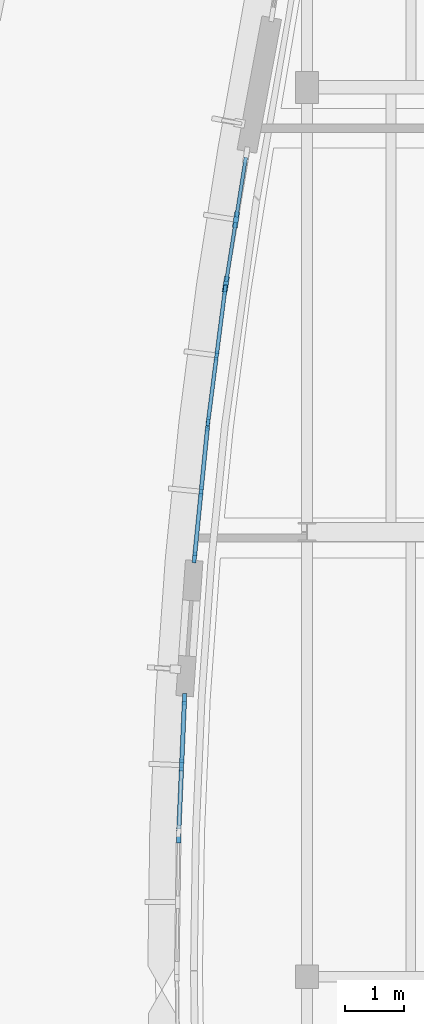
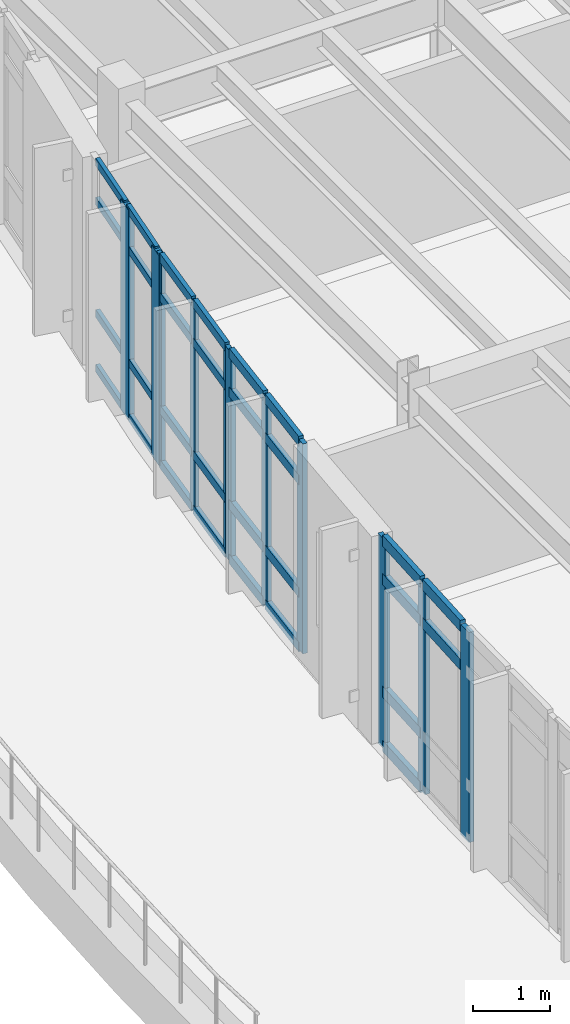
# One storey, part 7 of 30: 41 members, 5 elements without a shape of their own.
"""IFC4 building model written with IfcOpenShell, lengths in metres."""

from ifc_helpers import new_model, si_unit, direction, frame, origin, origin_2d, place, context, subcontext, project, spatial, rectangle, extrude, material, material_profile, profile_set, type_object, element, aggregate, save


model = new_model("IFC4")

# Units and contexts
model_context = context("Model", 3, precision=1e-05, world=origin(), true_north=direction((0.0, 1.0)))
body_context = subcontext(model_context, "Body", "Model", "MODEL_VIEW")
ifc_project = project(units=[si_unit("LENGTHUNIT", "METRE"), si_unit("AREAUNIT", "SQUARE_METRE"), si_unit("VOLUMEUNIT", "CUBIC_METRE"), si_unit("PLANEANGLEUNIT", "RADIAN"), si_unit("MASSUNIT", "GRAM", prefix="KILO")], contexts=[model_context])

# Site, building, storey
site_placement = place(None, origin())
site = spatial("IfcSite", under=ifc_project, at=site_placement, CompositionType="ELEMENT")
building_placement = place(site_placement, origin())
building = spatial("IfcBuilding", under=site, at=building_placement, Name="Corveleigh Park Community Centre", CompositionType="ELEMENT")
storey_placement = place(building_placement, frame((0.0, 0.0, 12.60009765625)))
storey = spatial("IfcBuildingStorey", under=building, at=storey_placement, Name="L03", CompositionType="ELEMENT", Elevation=12.60009765625)

# Curtain wall, members
ifc_material = material(Name="Anodised aluminium 6063-T6", Category="aluminium")
curtain_wall_type = type_object("IfcCurtainWallType", Name="CW-SYS-V4-L03", PredefinedType="NOTDEFINED", material=ifc_material)
curtain_wall_1_placement = place(storey_placement, origin())
curtain_wall_1 = element("IfcCurtainWall", 1, at=curtain_wall_1_placement, inside=storey, type_object=curtain_wall_type, Name="V4 L03 Curtain Wall 427", PredefinedType="NOTDEFINED")
ifc_material_profile_1 = material_profile(ifc_material, rectangle(XDim=0.06005859375, YDim=0.159912109375, at=origin_2d()), Name="ALU-M60x160", Category="aluminium")
ifc_profile_set_1 = profile_set([ifc_material_profile_1], Name="Anodised aluminium 6063-T6")
member_type_1 = type_object("IfcMemberType", Name="CWM-60x160", PredefinedType="MULLION", material=ifc_profile_set_1)
member_1_placement = place(storey_placement, frame((142.51171875, 90.894775390625, 0.0), z_axis=(0.0, 0.0, 1.0), x_axis=(-0.991869145489, 0.127261927639, 0.0)))
member_1 = element("IfcMember", 2, at=member_1_placement, type_object=member_type_1, Name="CW09 mullion 1", PredefinedType="MULLION", context=body_context, shape_type="SweptSolid", body=[
    extrude(rectangle(XDim=0.06005859375, YDim=0.159912109375, at=origin_2d()), origin(), (0.0, 0.0, 1.0), 3.3369140625),
])
member_2_placement = place(storey_placement, frame((142.656005859375, 92.0185546875, 0.0), z_axis=(0.0, 0.0, 1.0), x_axis=(-0.991869145489, 0.127261927639, 0.0)))
member_2 = element("IfcMember", 3, at=member_2_placement, type_object=member_type_1, Name="CW09 mullion 2", PredefinedType="MULLION", context=body_context, shape_type="SweptSolid", body=[
    extrude(rectangle(XDim=0.06005859375, YDim=0.159912109375, at=origin_2d()), origin(), (0.0, 0.0, 1.0), 3.3369140625),
])
member_3_placement = place(storey_placement, frame((142.80029296875, 93.142333984375, 0.0), z_axis=(0.0, 0.0, 1.0), x_axis=(-0.991869145489, 0.127261927639, 0.0)))
member_3 = element("IfcMember", 4, at=member_3_placement, type_object=member_type_1, Name="CW09 mullion 3", PredefinedType="MULLION", context=body_context, shape_type="SweptSolid", body=[
    extrude(rectangle(XDim=0.06005859375, YDim=0.159912109375, at=origin_2d()), origin(), (0.0, 0.0, 1.0), 3.3369140625),
])

curtain_wall_2_placement = place(storey_placement, origin())
curtain_wall_2 = element("IfcCurtainWall", 5, at=curtain_wall_2_placement, inside=storey, type_object=curtain_wall_type, Name="V4 L03 Curtain Wall 428", PredefinedType="NOTDEFINED")
ifc_material_profile_2 = material_profile(ifc_material, rectangle(XDim=0.06494140625, YDim=0.179931640625, at=origin_2d()), Name="ALU-M65x180", Category="aluminium")
ifc_profile_set_2 = profile_set([ifc_material_profile_2], Name="Anodised aluminium 6063-T6")
member_type_2 = type_object("IfcMemberType", Name="CWM-65x180", PredefinedType="MULLION", material=ifc_profile_set_2)
member_4_placement = place(storey_placement, frame((142.2783203125, 88.564453125, 0.0), z_axis=(0.0, 0.0, 1.0), x_axis=(-0.995058446213, 0.09929092919, 0.0)))
member_4 = element("IfcMember", 6, at=member_4_placement, type_object=member_type_2, Name="CW09 mullion 1", PredefinedType="MULLION", context=body_context, shape_type="SweptSolid", body=[
    extrude(rectangle(XDim=0.06494140625, YDim=0.179931640625, at=origin_2d()), origin(), (0.0, 0.0, 1.0), 3.3369140625),
])
member_5_placement = place(storey_placement, frame((142.390380859375, 89.689453125, 0.0), z_axis=(0.0, 0.0, 1.0), x_axis=(-0.995058446213, 0.09929092919, 0.0)))
member_5 = element("IfcMember", 7, at=member_5_placement, type_object=member_type_2, Name="CW09 mullion 2", PredefinedType="MULLION", context=body_context, shape_type="SweptSolid", body=[
    extrude(rectangle(XDim=0.06494140625, YDim=0.179931640625, at=origin_2d()), origin(), (0.0, 0.0, 1.0), 3.3369140625),
])
member_6_placement = place(storey_placement, frame((142.502685546875, 90.814697265625, 0.0), z_axis=(0.0, 0.0, 1.0), x_axis=(-0.995058446213, 0.09929092919, 0.0)))
member_6 = element("IfcMember", 8, at=member_6_placement, type_object=member_type_2, Name="CW09 mullion 3", PredefinedType="MULLION", context=body_context, shape_type="SweptSolid", body=[
    extrude(rectangle(XDim=0.06494140625, YDim=0.179931640625, at=origin_2d()), origin(), (0.0, 0.0, 1.0), 3.3369140625),
])

curtain_wall_3_placement = place(storey_placement, origin())
curtain_wall_3 = element("IfcCurtainWall", 9, at=curtain_wall_3_placement, inside=storey, type_object=curtain_wall_type, Name="V4 L03 Curtain Wall 429", PredefinedType="NOTDEFINED")
ifc_material_profile_3 = material_profile(ifc_material, rectangle(XDim=0.070068359375, YDim=0.199951171875, at=origin_2d()), Name="ALU-M70x200", Category="aluminium")
ifc_profile_set_3 = profile_set([ifc_material_profile_3], Name="Anodised aluminium 6063-T6")
member_type_3 = type_object("IfcMemberType", Name="CWM-70x200", PredefinedType="MULLION", material=ifc_profile_set_3)
member_7_placement = place(storey_placement, frame((142.05810546875, 85.014404296875, 0.0), z_axis=(0.0, 0.0, 1.0), x_axis=(-0.999074729961, 0.043007952221, 0.0)))
member_7 = element("IfcMember", 10, at=member_7_placement, type_object=member_type_3, Name="CW09 mullion 2", PredefinedType="MULLION", context=body_context, shape_type="SweptSolid", body=[
    extrude(rectangle(XDim=0.070068359375, YDim=0.199951171875, at=origin_2d()), origin(), (0.0, 0.0, 1.0), 3.3369140625),
])
member_8_placement = place(storey_placement, frame((142.1064453125, 86.14111328125, 0.0), z_axis=(0.0, 0.0, 1.0), x_axis=(-0.999074729961, 0.043007952221, 0.0)))
member_8 = element("IfcMember", 11, at=member_8_placement, type_object=member_type_3, Name="CW09 mullion 3", PredefinedType="MULLION", context=body_context, shape_type="SweptSolid", body=[
    extrude(rectangle(XDim=0.070068359375, YDim=0.199951171875, at=origin_2d()), origin(), (0.0, 0.0, 1.0), 3.3369140625),
])

# Curtain wall, member
curtain_wall_4_placement = place(storey_placement, origin())
curtain_wall_4 = element("IfcCurtainWall", 12, at=curtain_wall_4_placement, inside=storey, type_object=curtain_wall_type, Name="V4 L03 Curtain Wall 430", PredefinedType="NOTDEFINED")
ifc_material_profile_4 = material_profile(ifc_material, rectangle(XDim=0.074951171875, YDim=0.219970703125, at=origin_2d()), Name="ALU-M75x220", Category="aluminium")
ifc_profile_set_4 = profile_set([ifc_material_profile_4], Name="Anodised aluminium 6063-T6")
member_type_4 = type_object("IfcMemberType", Name="CWM-75x220", PredefinedType="MULLION", material=ifc_profile_set_4)
member_9_placement = place(storey_placement, frame((142.007568359375, 83.797607421875, 0.0), z_axis=(0.0, 0.0, 1.0), x_axis=(-0.999899373375, 0.014186018617, 0.0)))
member_9 = element("IfcMember", 13, at=member_9_placement, type_object=member_type_4, Name="CW09 mullion 3", PredefinedType="MULLION", context=body_context, shape_type="SweptSolid", body=[
    extrude(rectangle(XDim=0.074951171875, YDim=0.219970703125, at=origin_2d()), origin(), (0.0, 0.0, 1.0), 3.3369140625),
])
aggregate(curtain_wall_4, [member_9])

# Curtain wall, members
curtain_wall_5_placement = place(storey_placement, origin())
curtain_wall_5 = element("IfcCurtainWall", 14, at=curtain_wall_5_placement, inside=storey, type_object=curtain_wall_type, Name="V4 L03 Curtain Wall 426", PredefinedType="NOTDEFINED")
ifc_material_profile_5 = material_profile(ifc_material, rectangle(XDim=0.0849609375, YDim=0.27490234375, at=origin_2d()), Name="ALU-M85x275", Category="aluminium")
ifc_profile_set_5 = profile_set([ifc_material_profile_5], Name="Anodised aluminium 6063-T6")
member_type_5 = type_object("IfcMemberType", Name="CWM-85x275", PredefinedType="MULLION", material=ifc_profile_set_5)
member_10_placement = place(storey_placement, frame((142.812744140625, 93.23193359375, 0.0), z_axis=(0.0, 0.0, 1.0), x_axis=(-0.987742036845, 0.156095062857, 0.0)))
member_10 = element("IfcMember", 15, at=member_10_placement, type_object=member_type_5, Name="CW09 mullion 1", PredefinedType="MULLION", context=body_context, shape_type="SweptSolid", body=[
    extrude(rectangle(XDim=0.0849609375, YDim=0.27490234375, at=origin_2d()), origin(), (0.0, 0.0, 1.0), 3.3369140625),
])
member_11_placement = place(storey_placement, frame((142.987548828125, 94.33837890625, 0.0), z_axis=(0.0, 0.0, 1.0), x_axis=(-0.987742036845, 0.156095062857, 0.0)))
member_11 = element("IfcMember", 16, at=member_11_placement, type_object=member_type_5, Name="CW09 mullion 2", PredefinedType="MULLION", context=body_context, shape_type="SweptSolid", body=[
    extrude(rectangle(XDim=0.0849609375, YDim=0.27490234375, at=origin_2d()), origin(), (0.0, 0.0, 1.0), 3.3369140625),
])
ifc_material_profile_6 = material_profile(ifc_material, rectangle(XDim=0.06005859375, YDim=0.1201171875, at=origin_2d()), Name="ALU-T60x120", Category="aluminium")
ifc_profile_set_6 = profile_set([ifc_material_profile_6], Name="Anodised aluminium 6063-T6")
member_type_6 = type_object("IfcMemberType", Name="CWT-60x120", PredefinedType="USERDEFINED", material=ifc_profile_set_6)
member_12_placement = place(storey_placement, frame((142.8193359375, 93.27392578125, 0.02978515625), z_axis=(0.156095763917, 0.987741926055, 0.0), x_axis=(-0.987741926055, 0.156095763917, 0.0)))
member_12 = element("IfcMember", 17, at=member_12_placement, type_object=member_type_6, Name="CW09 transom 1.1", ObjectType="TRANSOM", PredefinedType="USERDEFINED", context=body_context, shape_type="SweptSolid", body=[
    extrude(rectangle(XDim=0.06005859375, YDim=0.1201171875, at=origin_2d()), origin(), (0.0, 0.0, 1.0), 1.035400390625),
])
member_13_placement = place(storey_placement, frame((142.8193359375, 93.27392578125, 0.89990234375), z_axis=(0.156095763917, 0.987741926055, 0.0), x_axis=(-0.987741926055, 0.156095763917, 0.0)))
member_13 = element("IfcMember", 18, at=member_13_placement, type_object=member_type_6, Name="CW09 transom 1.2", ObjectType="TRANSOM", PredefinedType="USERDEFINED", context=body_context, shape_type="SweptSolid", body=[
    extrude(rectangle(XDim=0.06005859375, YDim=0.1201171875, at=origin_2d()), origin(), (0.0, 0.0, 1.0), 1.035400390625),
])
member_14_placement = place(storey_placement, frame((142.8193359375, 93.27392578125, 2.68701171875), z_axis=(0.156095763917, 0.987741926055, 0.0), x_axis=(-0.987741926055, 0.156095763917, 0.0)))
member_14 = element("IfcMember", 19, at=member_14_placement, type_object=member_type_6, Name="CW09 transom 1.3", ObjectType="TRANSOM", PredefinedType="USERDEFINED", context=body_context, shape_type="SweptSolid", body=[
    extrude(rectangle(XDim=0.06005859375, YDim=0.1201171875, at=origin_2d()), origin(), (0.0, 0.0, 1.0), 1.035400390625),
])
member_15_placement = place(storey_placement, frame((142.8193359375, 93.27392578125, 3.306884765625), z_axis=(0.156095763917, 0.987741926055, 0.0), x_axis=(-0.987741926055, 0.156095763917, 0.0)))
member_15 = element("IfcMember", 20, at=member_15_placement, type_object=member_type_6, Name="CW09 transom 1.4", ObjectType="TRANSOM", PredefinedType="USERDEFINED", context=body_context, shape_type="SweptSolid", body=[
    extrude(rectangle(XDim=0.06005859375, YDim=0.1201171875, at=origin_2d()), origin(), (0.0, 0.0, 1.0), 1.035400390625),
])
member_16_placement = place(storey_placement, frame((142.994140625, 94.38037109375, 0.02978515625), z_axis=(0.156095763917, 0.987741926055, 0.0), x_axis=(-0.987741926055, 0.156095763917, 0.0)))
member_16 = element("IfcMember", 21, at=member_16_placement, type_object=member_type_6, Name="CW09 transom 2.1", ObjectType="TRANSOM", PredefinedType="USERDEFINED", context=body_context, shape_type="SweptSolid", body=[
    extrude(rectangle(XDim=0.06005859375, YDim=0.1201171875, at=origin_2d()), origin(), (0.0, 0.0, 1.0), 1.035400390625),
])
member_17_placement = place(storey_placement, frame((142.994140625, 94.38037109375, 0.89990234375), z_axis=(0.156095763917, 0.987741926055, 0.0), x_axis=(-0.987741926055, 0.156095763917, 0.0)))
member_17 = element("IfcMember", 22, at=member_17_placement, type_object=member_type_6, Name="CW09 transom 2.2", ObjectType="TRANSOM", PredefinedType="USERDEFINED", context=body_context, shape_type="SweptSolid", body=[
    extrude(rectangle(XDim=0.06005859375, YDim=0.1201171875, at=origin_2d()), origin(), (0.0, 0.0, 1.0), 1.035400390625),
])
member_18_placement = place(storey_placement, frame((142.994140625, 94.38037109375, 2.68701171875), z_axis=(0.156095763917, 0.987741926055, 0.0), x_axis=(-0.987741926055, 0.156095763917, 0.0)))
member_18 = element("IfcMember", 23, at=member_18_placement, type_object=member_type_6, Name="CW09 transom 2.3", ObjectType="TRANSOM", PredefinedType="USERDEFINED", context=body_context, shape_type="SweptSolid", body=[
    extrude(rectangle(XDim=0.06005859375, YDim=0.1201171875, at=origin_2d()), origin(), (0.0, 0.0, 1.0), 1.035400390625),
])
member_19_placement = place(storey_placement, frame((142.994140625, 94.38037109375, 3.306884765625), z_axis=(0.156095763917, 0.987741926055, 0.0), x_axis=(-0.987741926055, 0.156095763917, 0.0)))
member_19 = element("IfcMember", 24, at=member_19_placement, type_object=member_type_6, Name="CW09 transom 2.4", ObjectType="TRANSOM", PredefinedType="USERDEFINED", context=body_context, shape_type="SweptSolid", body=[
    extrude(rectangle(XDim=0.06005859375, YDim=0.1201171875, at=origin_2d()), origin(), (0.0, 0.0, 1.0), 1.035400390625),
])
aggregate(curtain_wall_5, [member_10, member_11, member_12, member_13, member_14, member_15, member_16, member_17, member_18, member_19])

# Member
ifc_material_profile_7 = material_profile(ifc_material, rectangle(XDim=0.06494140625, YDim=0.139892578125, at=origin_2d()), Name="ALU-T65x140", Category="aluminium")
ifc_profile_set_7 = profile_set([ifc_material_profile_7], Name="Anodised aluminium 6063-T6")
member_type_7 = type_object("IfcMemberType", Name="CWT-65x140", PredefinedType="USERDEFINED", material=ifc_profile_set_7)
member_20_placement = place(storey_placement, frame((142.515625, 90.924560546875, 0.032470703125), z_axis=(0.127198757042, 0.991877248558, 0.0), x_axis=(-0.991877248558, 0.127198757042, 0.0)))
member_20 = element("IfcMember", 25, at=member_20_placement, type_object=member_type_7, Name="CW09 transom 1.1", ObjectType="TRANSOM", PredefinedType="USERDEFINED", context=body_context, shape_type="SweptSolid", body=[
    extrude(rectangle(XDim=0.06494140625, YDim=0.139892578125, at=origin_2d()), origin(), (0.0, 0.0, 1.0), 1.072998046875),
])

member_21_placement = place(storey_placement, frame((142.515625, 90.924560546875, 0.89990234375), z_axis=(0.127198757042, 0.991877248558, 0.0), x_axis=(-0.991877248558, 0.127198757042, 0.0)))
member_21 = element("IfcMember", 26, at=member_21_placement, type_object=member_type_7, Name="CW09 transom 1.2", ObjectType="TRANSOM", PredefinedType="USERDEFINED", context=body_context, shape_type="SweptSolid", body=[
    extrude(rectangle(XDim=0.06494140625, YDim=0.139892578125, at=origin_2d()), origin(), (0.0, 0.0, 1.0), 1.072998046875),
])

member_22_placement = place(storey_placement, frame((142.515625, 90.924560546875, 2.68701171875), z_axis=(0.127198757042, 0.991877248558, 0.0), x_axis=(-0.991877248558, 0.127198757042, 0.0)))
member_22 = element("IfcMember", 27, at=member_22_placement, type_object=member_type_7, Name="CW09 transom 1.3", ObjectType="TRANSOM", PredefinedType="USERDEFINED", context=body_context, shape_type="SweptSolid", body=[
    extrude(rectangle(XDim=0.06494140625, YDim=0.139892578125, at=origin_2d()), origin(), (0.0, 0.0, 1.0), 1.072998046875),
])

member_23_placement = place(storey_placement, frame((142.515625, 90.924560546875, 3.304443359375), z_axis=(0.127198757042, 0.991877248558, 0.0), x_axis=(-0.991877248558, 0.127198757042, 0.0)))
member_23 = element("IfcMember", 28, at=member_23_placement, type_object=member_type_7, Name="CW09 transom 1.4", ObjectType="TRANSOM", PredefinedType="USERDEFINED", context=body_context, shape_type="SweptSolid", body=[
    extrude(rectangle(XDim=0.06494140625, YDim=0.139892578125, at=origin_2d()), origin(), (0.0, 0.0, 1.0), 1.072998046875),
])

member_24_placement = place(storey_placement, frame((142.659912109375, 92.04833984375, 0.032470703125), z_axis=(0.127198757042, 0.991877248558, 0.0), x_axis=(-0.991877248558, 0.127198757042, 0.0)))
member_24 = element("IfcMember", 29, at=member_24_placement, type_object=member_type_7, Name="CW09 transom 2.1", ObjectType="TRANSOM", PredefinedType="USERDEFINED", context=body_context, shape_type="SweptSolid", body=[
    extrude(rectangle(XDim=0.06494140625, YDim=0.139892578125, at=origin_2d()), origin(), (0.0, 0.0, 1.0), 1.072998046875),
])

member_25_placement = place(storey_placement, frame((142.659912109375, 92.04833984375, 0.89990234375), z_axis=(0.127198757042, 0.991877248558, 0.0), x_axis=(-0.991877248558, 0.127198757042, 0.0)))
member_25 = element("IfcMember", 30, at=member_25_placement, type_object=member_type_7, Name="CW09 transom 2.2", ObjectType="TRANSOM", PredefinedType="USERDEFINED", context=body_context, shape_type="SweptSolid", body=[
    extrude(rectangle(XDim=0.06494140625, YDim=0.139892578125, at=origin_2d()), origin(), (0.0, 0.0, 1.0), 1.072998046875),
])

member_26_placement = place(storey_placement, frame((142.659912109375, 92.04833984375, 2.68701171875), z_axis=(0.127198757042, 0.991877248558, 0.0), x_axis=(-0.991877248558, 0.127198757042, 0.0)))
member_26 = element("IfcMember", 31, at=member_26_placement, type_object=member_type_7, Name="CW09 transom 2.3", ObjectType="TRANSOM", PredefinedType="USERDEFINED", context=body_context, shape_type="SweptSolid", body=[
    extrude(rectangle(XDim=0.06494140625, YDim=0.139892578125, at=origin_2d()), origin(), (0.0, 0.0, 1.0), 1.072998046875),
])

member_27_placement = place(storey_placement, frame((142.659912109375, 92.04833984375, 3.304443359375), z_axis=(0.127198757042, 0.991877248558, 0.0), x_axis=(-0.991877248558, 0.127198757042, 0.0)))
member_27 = element("IfcMember", 32, at=member_27_placement, type_object=member_type_7, Name="CW09 transom 2.4", ObjectType="TRANSOM", PredefinedType="USERDEFINED", context=body_context, shape_type="SweptSolid", body=[
    extrude(rectangle(XDim=0.06494140625, YDim=0.139892578125, at=origin_2d()), origin(), (0.0, 0.0, 1.0), 1.072998046875),
])

aggregate(curtain_wall_1, [member_1, member_2, member_3, member_20, member_21, member_22, member_23, member_24, member_25, member_26, member_27])

ifc_material_profile_8 = material_profile(ifc_material, rectangle(XDim=0.070068359375, YDim=0.155029296875, at=origin_2d()), Name="ALU-T70x155", Category="aluminium")
ifc_profile_set_8 = profile_set([ifc_material_profile_8], Name="Anodised aluminium 6063-T6")
member_type_8 = type_object("IfcMemberType", Name="CWT-70x155", PredefinedType="USERDEFINED", material=ifc_profile_set_8)
member_28_placement = place(storey_placement, frame((142.281494140625, 88.5966796875, 0.034912109375), z_axis=(0.099186194753, 0.99506889147, 0.0), x_axis=(-0.99506889147, 0.099186194753, 0.0)))
member_28 = element("IfcMember", 33, at=member_28_placement, type_object=member_type_8, Name="CW09 transom 1.1", ObjectType="TRANSOM", PredefinedType="USERDEFINED", context=body_context, shape_type="SweptSolid", body=[
    extrude(rectangle(XDim=0.070068359375, YDim=0.155029296875, at=origin_2d()), origin(), (0.0, 0.0, 1.0), 1.06591796875),
])

member_29_placement = place(storey_placement, frame((142.281494140625, 88.5966796875, 0.89990234375), z_axis=(0.099186194753, 0.99506889147, 0.0), x_axis=(-0.99506889147, 0.099186194753, 0.0)))
member_29 = element("IfcMember", 34, at=member_29_placement, type_object=member_type_8, Name="CW09 transom 1.2", ObjectType="TRANSOM", PredefinedType="USERDEFINED", context=body_context, shape_type="SweptSolid", body=[
    extrude(rectangle(XDim=0.070068359375, YDim=0.155029296875, at=origin_2d()), origin(), (0.0, 0.0, 1.0), 1.06591796875),
])

member_30_placement = place(storey_placement, frame((142.281494140625, 88.5966796875, 2.68701171875), z_axis=(0.099186194753, 0.99506889147, 0.0), x_axis=(-0.99506889147, 0.099186194753, 0.0)))
member_30 = element("IfcMember", 35, at=member_30_placement, type_object=member_type_8, Name="CW09 transom 1.3", ObjectType="TRANSOM", PredefinedType="USERDEFINED", context=body_context, shape_type="SweptSolid", body=[
    extrude(rectangle(XDim=0.070068359375, YDim=0.155029296875, at=origin_2d()), origin(), (0.0, 0.0, 1.0), 1.06591796875),
])

member_31_placement = place(storey_placement, frame((142.281494140625, 88.5966796875, 3.302001953125), z_axis=(0.099186194753, 0.99506889147, 0.0), x_axis=(-0.99506889147, 0.099186194753, 0.0)))
member_31 = element("IfcMember", 36, at=member_31_placement, type_object=member_type_8, Name="CW09 transom 1.4", ObjectType="TRANSOM", PredefinedType="USERDEFINED", context=body_context, shape_type="SweptSolid", body=[
    extrude(rectangle(XDim=0.070068359375, YDim=0.155029296875, at=origin_2d()), origin(), (0.0, 0.0, 1.0), 1.06591796875),
])

member_32_placement = place(storey_placement, frame((142.393798828125, 89.721923828125, 0.034912109375), z_axis=(0.099208808171, 0.995066637156, 0.0), x_axis=(-0.995066637156, 0.099208808171, 0.0)))
member_32 = element("IfcMember", 37, at=member_32_placement, type_object=member_type_8, Name="CW09 transom 2.1", ObjectType="TRANSOM", PredefinedType="USERDEFINED", context=body_context, shape_type="SweptSolid", body=[
    extrude(rectangle(XDim=0.070068359375, YDim=0.155029296875, at=origin_2d()), origin(), (0.0, 0.0, 1.0), 1.065673828125),
])

member_33_placement = place(storey_placement, frame((142.393798828125, 89.721923828125, 0.89990234375), z_axis=(0.099208808171, 0.995066637156, 0.0), x_axis=(-0.995066637156, 0.099208808171, 0.0)))
member_33 = element("IfcMember", 38, at=member_33_placement, type_object=member_type_8, Name="CW09 transom 2.2", ObjectType="TRANSOM", PredefinedType="USERDEFINED", context=body_context, shape_type="SweptSolid", body=[
    extrude(rectangle(XDim=0.070068359375, YDim=0.155029296875, at=origin_2d()), origin(), (0.0, 0.0, 1.0), 1.065673828125),
])

member_34_placement = place(storey_placement, frame((142.393798828125, 89.721923828125, 2.68701171875), z_axis=(0.099208808171, 0.995066637156, 0.0), x_axis=(-0.995066637156, 0.099208808171, 0.0)))
member_34 = element("IfcMember", 39, at=member_34_placement, type_object=member_type_8, Name="CW09 transom 2.3", ObjectType="TRANSOM", PredefinedType="USERDEFINED", context=body_context, shape_type="SweptSolid", body=[
    extrude(rectangle(XDim=0.070068359375, YDim=0.155029296875, at=origin_2d()), origin(), (0.0, 0.0, 1.0), 1.065673828125),
])

member_35_placement = place(storey_placement, frame((142.393798828125, 89.721923828125, 3.302001953125), z_axis=(0.099208808171, 0.995066637156, 0.0), x_axis=(-0.995066637156, 0.099208808171, 0.0)))
member_35 = element("IfcMember", 40, at=member_35_placement, type_object=member_type_8, Name="CW09 transom 2.4", ObjectType="TRANSOM", PredefinedType="USERDEFINED", context=body_context, shape_type="SweptSolid", body=[
    extrude(rectangle(XDim=0.070068359375, YDim=0.155029296875, at=origin_2d()), origin(), (0.0, 0.0, 1.0), 1.065673828125),
])

aggregate(curtain_wall_2, [member_4, member_5, member_6, member_28, member_29, member_30, member_31, member_32, member_33, member_34, member_35])

ifc_material_profile_9 = material_profile(ifc_material, rectangle(XDim=0.074951171875, YDim=0.175048828125, at=origin_2d()), Name="ALU-T75x175", Category="aluminium")
ifc_profile_set_9 = profile_set([ifc_material_profile_9], Name="Anodised aluminium 6063-T6")
member_type_9 = type_object("IfcMemberType", Name="CWT-75x175", PredefinedType="USERDEFINED", material=ifc_profile_set_9)
member_36_placement = place(storey_placement, frame((142.010986328125, 83.9228515625, 2.68701171875), z_axis=(0.042936338424, 0.999077810204, 0.0), x_axis=(-0.999077810204, 0.042936338424, 0.0)))
member_36 = element("IfcMember", 41, at=member_36_placement, type_object=member_type_9, Name="CW09 transom 1.3", ObjectType="TRANSOM", PredefinedType="USERDEFINED", context=body_context, shape_type="SweptSolid", body=[
    extrude(rectangle(XDim=0.074951171875, YDim=0.175048828125, at=origin_2d()), origin(), (0.0, 0.0, 1.0), 1.0576171875),
])

member_37_placement = place(storey_placement, frame((142.010986328125, 83.9228515625, 3.29931640625), z_axis=(0.042936338424, 0.999077810204, 0.0), x_axis=(-0.999077810204, 0.042936338424, 0.0)))
member_37 = element("IfcMember", 42, at=member_37_placement, type_object=member_type_9, Name="CW09 transom 1.4", ObjectType="TRANSOM", PredefinedType="USERDEFINED", context=body_context, shape_type="SweptSolid", body=[
    extrude(rectangle(XDim=0.074951171875, YDim=0.175048828125, at=origin_2d()), origin(), (0.0, 0.0, 1.0), 1.0576171875),
])

member_38_placement = place(storey_placement, frame((142.0595703125, 85.049560546875, 0.037353515625), z_axis=(0.042946243013, 0.999077384496, 0.0), x_axis=(-0.999077384496, 0.042946243013, 0.0)))
member_38 = element("IfcMember", 43, at=member_38_placement, type_object=member_type_9, Name="CW09 transom 2.1", ObjectType="TRANSOM", PredefinedType="USERDEFINED", context=body_context, shape_type="SweptSolid", body=[
    extrude(rectangle(XDim=0.074951171875, YDim=0.175048828125, at=origin_2d()), origin(), (0.0, 0.0, 1.0), 1.057373046875),
])

member_39_placement = place(storey_placement, frame((142.0595703125, 85.049560546875, 0.89990234375), z_axis=(0.042946243013, 0.999077384496, 0.0), x_axis=(-0.999077384496, 0.042946243013, 0.0)))
member_39 = element("IfcMember", 44, at=member_39_placement, type_object=member_type_9, Name="CW09 transom 2.2", ObjectType="TRANSOM", PredefinedType="USERDEFINED", context=body_context, shape_type="SweptSolid", body=[
    extrude(rectangle(XDim=0.074951171875, YDim=0.175048828125, at=origin_2d()), origin(), (0.0, 0.0, 1.0), 1.057373046875),
])

member_40_placement = place(storey_placement, frame((142.0595703125, 85.049560546875, 2.68701171875), z_axis=(0.042946243013, 0.999077384496, 0.0), x_axis=(-0.999077384496, 0.042946243013, 0.0)))
member_40 = element("IfcMember", 45, at=member_40_placement, type_object=member_type_9, Name="CW09 transom 2.3", ObjectType="TRANSOM", PredefinedType="USERDEFINED", context=body_context, shape_type="SweptSolid", body=[
    extrude(rectangle(XDim=0.074951171875, YDim=0.175048828125, at=origin_2d()), origin(), (0.0, 0.0, 1.0), 1.057373046875),
])

member_41_placement = place(storey_placement, frame((142.0595703125, 85.049560546875, 3.29931640625), z_axis=(0.042946243013, 0.999077384496, 0.0), x_axis=(-0.999077384496, 0.042946243013, 0.0)))
member_41 = element("IfcMember", 46, at=member_41_placement, type_object=member_type_9, Name="CW09 transom 2.4", ObjectType="TRANSOM", PredefinedType="USERDEFINED", context=body_context, shape_type="SweptSolid", body=[
    extrude(rectangle(XDim=0.074951171875, YDim=0.175048828125, at=origin_2d()), origin(), (0.0, 0.0, 1.0), 1.057373046875),
])

aggregate(curtain_wall_3, [member_7, member_8, member_36, member_37, member_38, member_39, member_40, member_41])

save(model, "model.ifc")
